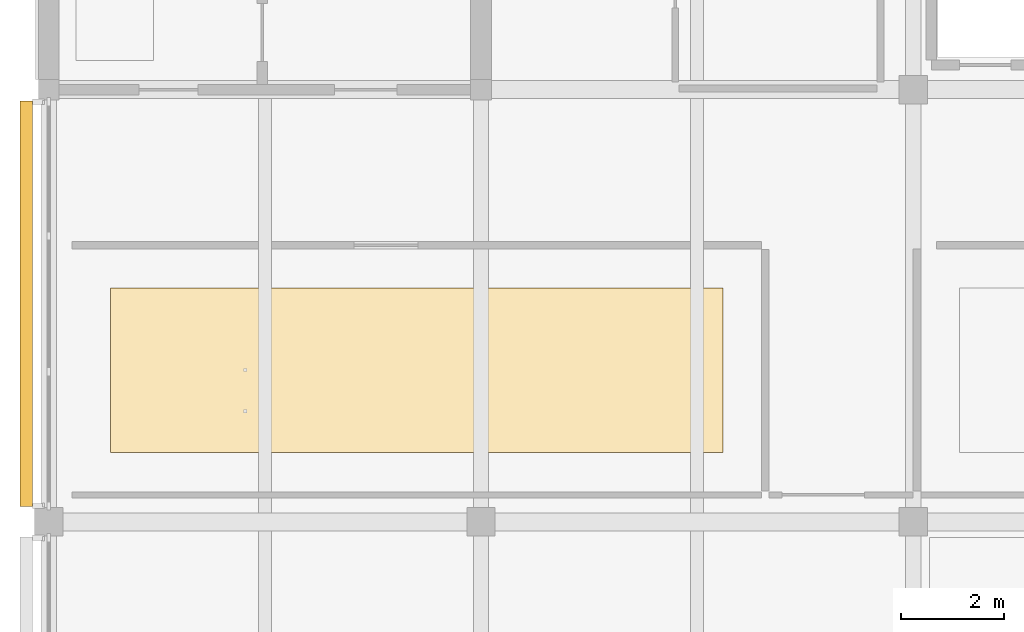
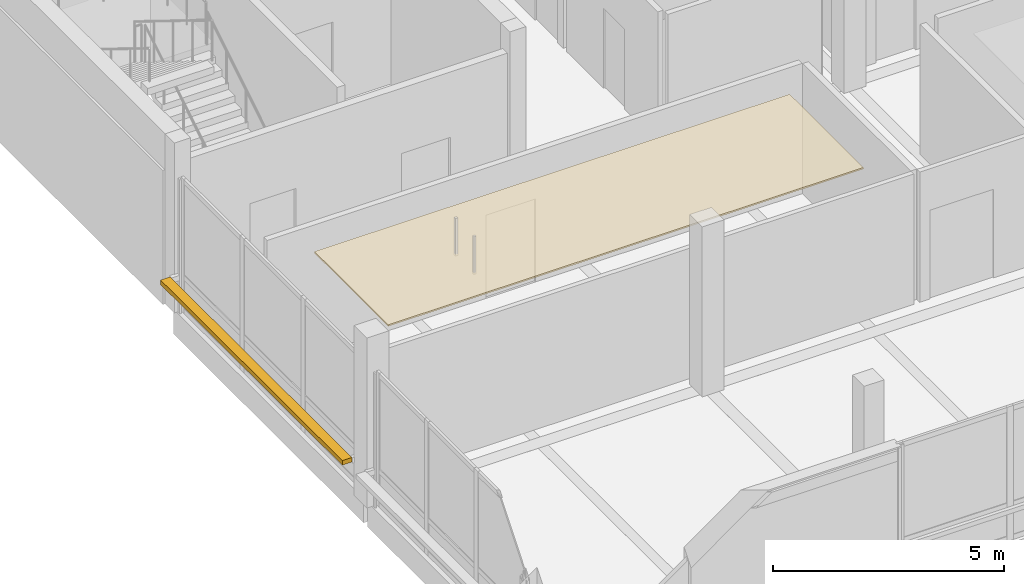
# One storey, part 14 of 20: 1 covering, 1 shading device.
"""IFC4 building model written with IfcOpenShell, lengths in metres."""

from ifc_helpers import new_model, si_unit, direction, frame, origin, origin_2d, place, context, subcontext, project, spatial, polyline, rectangle, outline, extrude, material, layer, layer_set, type_object, element, save


model = new_model("IFC4")

# Units and contexts
model_context = context("Model", 3, precision=1e-05, world=origin(), true_north=direction((0.0, 1.0)))
body_context = subcontext(model_context, "Body", "Model", "MODEL_VIEW")
ifc_project = project(units=[si_unit("LENGTHUNIT", "METRE"), si_unit("AREAUNIT", "SQUARE_METRE"), si_unit("VOLUMEUNIT", "CUBIC_METRE"), si_unit("PLANEANGLEUNIT", "RADIAN"), si_unit("MASSUNIT", "GRAM", prefix="KILO")], contexts=[model_context])

# Site, building, storey
site_placement = place(None, origin())
site = spatial("IfcSite", under=ifc_project, at=site_placement, CompositionType="ELEMENT")
building_placement = place(site_placement, origin())
building = spatial("IfcBuilding", under=site, at=building_placement, Name="Telukmera Botanical Conservatory", CompositionType="ELEMENT")
storey_placement = place(building_placement, frame((0.0, 0.0, 69.0)))
storey = spatial("IfcBuildingStorey", under=building, at=storey_placement, Name="L15", CompositionType="ELEMENT", Elevation=69.0)

# Covering
ifc_material_1 = material(Name="Perforated gypsum acoustic ceiling")
ifc_layer_1 = layer(ifc_material_1, 0.0400390625)
ifc_layer_set_1 = layer_set([ifc_layer_1], Name="Perforated gypsum acoustic ceiling")
covering_type = type_object("IfcCoveringType", Name="COV-CEIL-40", PredefinedType="CEILING", material=ifc_layer_set_1)
covering_placement = place(storey_placement, frame((0.0, 0.0, 3.31005859375)))
element("IfcCovering", 1, at=covering_placement, inside=storey, type_object=covering_type, Name="L15 Education Viewing Studio Suspended Acoustic Ceiling", PredefinedType="CEILING", context=body_context, shape_type="SweptSolid", body=[
    extrude(outline(polyline([(60.0, 18.949951171875), (71.89990234375, 18.949951171875), (71.89990234375, 22.14990234375), (60.0, 22.14990234375), (60.0, 18.949951171875)])), origin(), (0.0, 0.0, 1.0), 0.0400390625),
])

# Shading device
ifc_material_2 = material(Name="Perforated terracotta-anodised aluminium 6063-T6", Category="masonry")
ifc_layer_2 = layer(ifc_material_2, 0.044921875)
ifc_layer_set_2 = layer_set([ifc_layer_2], Name="Perforated terracotta-anodised aluminium 6063-T6")
shading_device_type = type_object("IfcShadingDeviceType", Name="Perforated Terracotta Aluminium Monsoon Brise Soleil", PredefinedType="JALOUSIE", material=ifc_layer_set_2)
shading_device_placement = place(storey_placement, frame((58.360107421875, 21.83740234375, 0.889892578125), z_axis=(0.0, 0.0, 1.0), x_axis=(0.0, 1.0, 0.0)))
element("IfcShadingDevice", 2, at=shading_device_placement, inside=storey, type_object=shading_device_type, Name="Monsoon Shading BS01 V4:L15:W2", PredefinedType="JALOUSIE", context=body_context, shape_type="SweptSolid", body=[
    extrude(rectangle(XDim=7.881103515625, YDim=0.239990234375, at=origin_2d()), origin(), (0.0, 0.0, 1.0), 0.1201171875),
])

save(model, "model.ifc")
